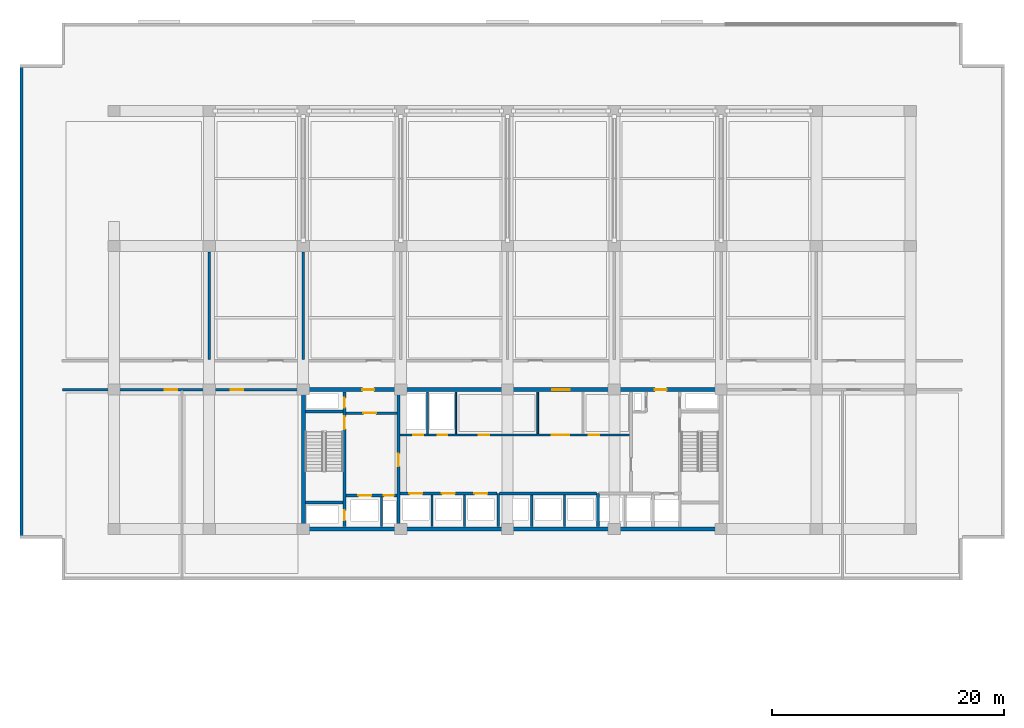
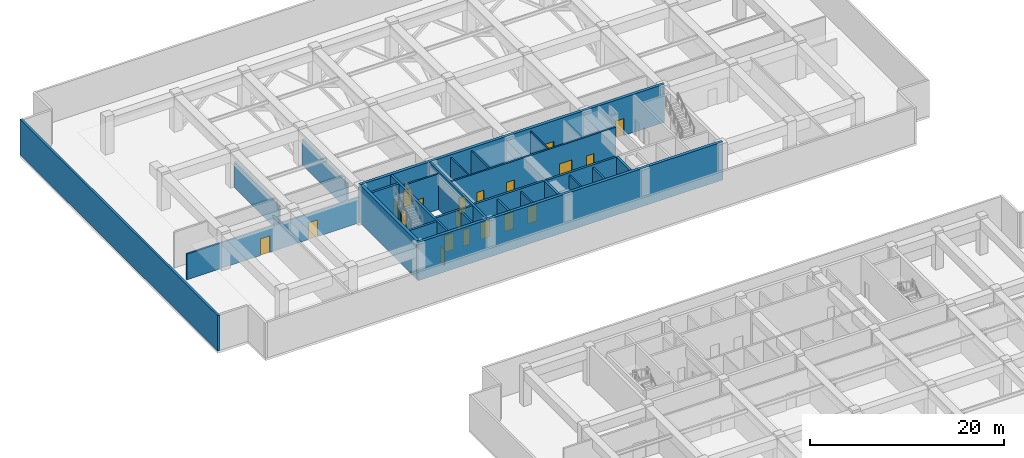
# One storey, part 11 of 21: 26 walls, 20 doors, 20 openings.
"""IFC4 building model written with IfcOpenShell, lengths in metres."""

from ifc_helpers import new_model, si_unit, direction, frame, frame_2d, origin, place, context, subcontext, project, spatial, rectangle, extrude, material, layer, layer_set, type_object, element, fill, save


model = new_model("IFC4")

# Units and contexts
model_context = context("Model", 3, precision=1e-05, world=origin(), true_north=direction((0.0, 1.0)))
body_context = subcontext(model_context, "Body", "Model", "MODEL_VIEW")
ifc_project = project(units=[si_unit("LENGTHUNIT", "METRE"), si_unit("AREAUNIT", "SQUARE_METRE"), si_unit("VOLUMEUNIT", "CUBIC_METRE"), si_unit("PLANEANGLEUNIT", "RADIAN"), si_unit("MASSUNIT", "GRAM", prefix="KILO")], contexts=[model_context])

# Site, building, storey
site_placement = place(None, origin())
site = spatial("IfcSite", under=ifc_project, at=site_placement, CompositionType="ELEMENT")
building_placement = place(site_placement, origin())
building = spatial("IfcBuilding", under=site, at=building_placement, Name="Korimba Cascade Residences", CompositionType="ELEMENT")
storey_placement = place(building_placement, frame((0.0, 0.0, 76.0)))
storey = spatial("IfcBuildingStorey", under=building, at=storey_placement, Name="L21", CompositionType="ELEMENT", Elevation=76.0)

# Walls
ifc_material_1 = material(Name="Precast concrete C40/50", Category="concrete")
ifc_layer_1 = layer(ifc_material_1, 0.25)
ifc_layer_set_1 = layer_set([ifc_layer_1], Name="Precast concrete C40/50")
wall_type_1 = type_object("IfcWallType", Name="EW-PLNT-250", PredefinedType="SHEAR", material=ifc_layer_set_1)
wall_1_placement = place(storey_placement, frame((51.824951171875, 95.199951171875, 0.0), z_axis=(0.0, 0.0, 1.0), x_axis=(0.0, -1.0, 0.0)))
element("IfcWall", 1, at=wall_1_placement, inside=storey, type_object=wall_type_1, Name="L21 T1 Perimeter Stone Wall E09", PredefinedType="SHEAR", context=body_context, shape_type="SweptSolid", body=[
    extrude(rectangle(XDim=40.800048828125, YDim=0.25, at=frame_2d((20.39990234375, 0.0))), origin(), (0.0, 0.0, 1.0), 4.47998046875),
])
ifc_material_2 = material(Name="Concrete C65/80", Category="concrete")
ifc_layer_2 = layer(ifc_material_2, 0.35009765625)
ifc_layer_set_2 = layer_set([ifc_layer_2], Name="Concrete C65/80")
wall_type_2 = type_object("IfcWallType", Name="WAL-CORE-350", PredefinedType="SHEAR", material=ifc_layer_set_2)
wall_2_placement = place(storey_placement, frame((75.949951171875, 55.199951171875, 0.0), z_axis=(0.0, 0.0, 1.0), x_axis=(1.0, 0.0, 0.0)))
element("IfcWall", 2, at=wall_2_placement, inside=storey, type_object=wall_type_2, Name="L21 Core Shear Wall CW-L21-T1-S", PredefinedType="SHEAR", context=body_context, shape_type="SweptSolid", body=[
    extrude(rectangle(XDim=36.300048828125, YDim=0.35009765625, at=frame_2d((18.14990234375, 0.0))), origin(), (0.0, 0.0, 1.0), 4.800048828125),
])
wall_3_placement = place(storey_placement, frame((76.125, 55.375, 0.0), z_axis=(0.0, 0.0, 1.0), x_axis=(0.0, 1.0, 0.0)))
element("IfcWall", 3, at=wall_3_placement, inside=storey, type_object=wall_type_2, Name="L21 Core Shear Wall CW-L21-T1-W", PredefinedType="SHEAR", context=body_context, shape_type="SweptSolid", body=[
    extrude(rectangle(XDim=11.64990234375, YDim=0.35009765625, at=frame_2d((5.824951171875, 0.0))), origin(), (0.0, 0.0, 1.0), 4.800048828125),
])

# Wall, openings, doors
wall_4_placement = place(storey_placement, frame((75.949951171875, 67.199951171875, 0.0), z_axis=(0.0, 0.0, 1.0), x_axis=(1.0, 0.0, 0.0)))
wall_4 = element("IfcWall", 4, at=wall_4_placement, inside=storey, type_object=wall_type_2, Name="L21 Core Shear Wall CW-L21-T1-N", PredefinedType="SHEAR", context=body_context, shape_type="SweptSolid", body=[
    extrude(rectangle(XDim=36.300048828125, YDim=0.35009765625, at=frame_2d((18.14990234375, 0.0))), origin(), (0.0, 0.0, 1.0), 4.800048828125),
])
opening_1_placement = place(wall_4_placement, frame((5.25, 0.0, 0.0)))
opening_1 = element("IfcOpeningElement", 5, at=opening_1_placement, cuts=wall_4, Name="Opening D-FD5", PredefinedType="OPENING", context=body_context, shape_type="SweptSolid", body=[
    extrude(rectangle(XDim=1.0, YDim=2.14990234375, at=frame_2d((0.5, 1.074951171875))), frame((0.0, 0.18505859375, 0.0), z_axis=(0.0, -1.0, 0.0), x_axis=(1.0, 0.0, 0.0)), (0.0, 0.0, 1.0), 0.3701171875),
])
opening_2_placement = place(wall_4_placement, frame((21.60009765625, 0.0, 0.0)))
opening_2 = element("IfcOpeningElement", 6, at=opening_2_placement, cuts=wall_4, Name="Opening D-FD8", PredefinedType="OPENING", context=body_context, shape_type="SweptSolid", body=[
    extrude(rectangle(XDim=1.5, YDim=2.199951171875, at=frame_2d((0.75, 1.10009765625))), frame((0.0, 0.18505859375, 0.0), z_axis=(0.0, -1.0, 0.0), x_axis=(1.0, 0.0, 0.0)), (0.0, 0.0, 1.0), 0.3701171875),
])
opening_3_placement = place(wall_4_placement, frame((30.449951171875, 0.0, 0.0)))
opening_3 = element("IfcOpeningElement", 7, at=opening_3_placement, cuts=wall_4, Name="Opening D-FD5", PredefinedType="OPENING", context=body_context, shape_type="SweptSolid", body=[
    extrude(rectangle(XDim=1.0, YDim=2.14990234375, at=frame_2d((0.5, 1.074951171875))), frame((0.0, 0.18505859375, 0.0), z_axis=(0.0, -1.0, 0.0), x_axis=(1.0, 0.0, 0.0)), (0.0, 0.0, 1.0), 0.3701171875),
])
ifc_material_3 = material(Name="Fire-Rated Acoustic Timber Vestibule Door", Category="wood")
door_type_1 = type_object("IfcDoorType", Name="DR-FD90-1000", OperationType="NOTDEFINED", PredefinedType="DOOR", material=ifc_material_3)
door_1_placement = place(opening_1_placement, origin())
door_1 = element("IfcDoor", 8, at=door_1_placement, inside=storey, type_object=door_type_1, Name="L21 T1 West Core Vestibule Fire Door", OperationType="SINGLE_SWING_RIGHT", OverallHeight=2.14990234375, OverallWidth=1.0, PredefinedType="DOOR", context=body_context, shape_type="SweptSolid", body=[
    extrude(rectangle(XDim=1.0, YDim=2.14990234375, at=frame_2d((0.5, 1.074951171875))), frame((0.0, 0.02490234375, 0.0), z_axis=(0.0, -1.0, 0.0), x_axis=(1.0, 0.0, 0.0)), (0.0, 0.0, 1.0), 0.050048828125),
])
fill(opening_1, door_1)
door_2_placement = place(opening_3_placement, origin())
door_2 = element("IfcDoor", 9, at=door_2_placement, inside=storey, type_object=door_type_1, Name="L21 T1 East Firefighting Vestibule Fire Door", OperationType="SINGLE_SWING_LEFT", OverallHeight=2.14990234375, OverallWidth=1.0, PredefinedType="DOOR", context=body_context, shape_type="SweptSolid", body=[
    extrude(rectangle(XDim=1.0, YDim=2.14990234375, at=frame_2d((0.5, 1.074951171875))), frame((0.0, 0.02490234375, 0.0), z_axis=(0.0, -1.0, 0.0), x_axis=(1.0, 0.0, 0.0)), (0.0, 0.0, 1.0), 0.050048828125),
])
fill(opening_3, door_2)
ifc_material_4 = material(Name="Fire-Rated Glazed Lift Lobby Double Door", Category="glass")
door_type_2 = type_object("IfcDoorType", Name="DR-FD90-1500", OperationType="NOTDEFINED", PredefinedType="DOOR", material=ifc_material_4)
door_3_placement = place(opening_2_placement, origin())
door_3 = element("IfcDoor", 10, at=door_3_placement, inside=storey, type_object=door_type_2, Name="L21 T1 Lift Lobby Fire Door", OperationType="DOUBLE_DOOR_SINGLE_SWING", OverallHeight=2.199951171875, OverallWidth=1.5, PredefinedType="DOOR", context=body_context, shape_type="SweptSolid", body=[
    extrude(rectangle(XDim=1.5, YDim=2.199951171875, at=frame_2d((0.75, 1.10009765625))), frame((0.0, 0.02490234375, 0.0), z_axis=(0.0, -1.0, 0.0), x_axis=(1.0, 0.0, 0.0)), (0.0, 0.0, 1.0), 0.050048828125),
])
fill(opening_2, door_3)

# Walls
ifc_material_5 = material(Name="Insulated Acoustic Stud Partition", Category="gypsum")
ifc_layer_3 = layer(ifc_material_5, 0.14990234375)
ifc_layer_set_3 = layer_set([ifc_layer_3], Name="Insulated Acoustic Stud Partition")
wall_type_3 = type_object("IfcWallType", Name="WAL-PART-150", PredefinedType="PARTITIONING", material=ifc_layer_set_3)
for number, where, z_axis, x_axis, name in (
    (11, (86.800048828125, 63.39990234375, 0.0), (0.0, 0.0, 1.0), (0.0, 1.0, 0.0), "L21 Partition Wall CW-L21-T1-ERDIV"),
    (12, (89.25, 63.39990234375, 0.0), (0.0, 0.0, 1.0), (0.0, 1.0, 0.0), "L21 Partition Wall CW-L21-T1-PRDIV"),
    (13, (96.300048828125, 63.39990234375, 0.0), (0.0, 0.0, 1.0), (0.0, 1.0, 0.0), "L21 Partition Wall CW-L21-T1-THW"),
):
    element("IfcWall", number, at=place(storey_placement, frame(where, z_axis=z_axis, x_axis=x_axis)), inside=storey, type_object=wall_type_3, Name=name, PredefinedType="PARTITIONING", context=body_context, shape_type="SweptSolid", body=[
        extrude(rectangle(XDim=3.60009765625, YDim=0.14990234375, at=frame_2d((1.800048828125, 0.0))), origin(), (0.0, 0.0, 1.0), 4.47998046875),
    ])
ifc_material_6 = material(Name="Concrete C40/50", Category="concrete")
ifc_layer_4 = layer(ifc_material_6, 0.199951171875)
ifc_layer_set_4 = layer_set([ifc_layer_4], Name="Concrete C40/50")
wall_type_4 = type_object("IfcWallType", Name="WAL-PART-200", PredefinedType="PARTITIONING", material=ifc_layer_set_4)
wall_5_placement = place(storey_placement, frame((82.85009765625, 55.39990234375, 0.0), z_axis=(0.0, 0.0, 1.0), x_axis=(0.0, 1.0, 0.0)))
element("IfcWall", 14, at=wall_5_placement, inside=storey, type_object=wall_type_4, Name="L21 Partition Wall CW-L21-T1-FFLDIV", PredefinedType="PARTITIONING", context=body_context, shape_type="SweptSolid", body=[
    extrude(rectangle(XDim=2.56005859375, YDim=0.199951171875, at=frame_2d((1.280029296875, 0.0))), origin(), (0.0, 0.0, 1.0), 4.47998046875),
])

# Wall, opening, door
wall_6_placement = place(storey_placement, frame((79.7900390625, 65.179931640625, 0.0), z_axis=(0.0, 0.0, 1.0), x_axis=(1.0, 0.0, 0.0)))
wall_6 = element("IfcWall", 15, at=wall_6_placement, inside=storey, type_object=wall_type_4, Name="L21 Partition Wall CW-L21-T1-FFLN", PredefinedType="PARTITIONING", context=body_context, shape_type="SweptSolid", body=[
    extrude(rectangle(XDim=4.389892578125, YDim=0.199951171875, at=frame_2d((2.19482421875, 0.0))), origin(), (0.0, 0.0, 1.0), 4.47998046875),
])
opening_4_placement = place(wall_6_placement, frame((1.5, 0.0, 0.0)))
opening_4 = element("IfcOpeningElement", 16, at=opening_4_placement, cuts=wall_6, Name="Opening D-FD1", PredefinedType="OPENING", context=body_context, shape_type="SweptSolid", body=[
    extrude(rectangle(XDim=1.10009765625, YDim=2.10009765625, at=frame_2d((0.550048828125, 1.050048828125))), frame((0.0, 0.10986328125, 0.0), z_axis=(0.0, -1.0, 0.0), x_axis=(1.0, 0.0, 0.0)), (0.0, 0.0, 1.0), 0.219970703125),
])
ifc_material_7 = material(Name="Fire-Rated Steel Core Door", Category="steel")
door_type_3 = type_object("IfcDoorType", Name="DR-FD120-1100", OperationType="NOTDEFINED", PredefinedType="DOOR", material=ifc_material_7)
door_4_placement = place(opening_4_placement, origin())
door_4 = element("IfcDoor", 17, at=door_4_placement, inside=storey, type_object=door_type_3, Name="L21 West Firefighting Lobby Door", OperationType="SINGLE_SWING_RIGHT", OverallHeight=2.10009765625, OverallWidth=1.10009765625, PredefinedType="DOOR", context=body_context, shape_type="SweptSolid", body=[
    extrude(rectangle(XDim=1.10009765625, YDim=2.10009765625, at=frame_2d((0.550048828125, 1.050048828125))), frame((0.0, 0.02490234375, 0.0), z_axis=(0.0, -1.0, 0.0), x_axis=(1.0, 0.0, 0.0)), (0.0, 0.0, 1.0), 0.050048828125),
])
fill(opening_4, door_4)

# Walls
for number, where, z_axis, x_axis, name in (
    (18, (87.199951171875, 55.39990234375, 0.0), (0.0, 0.0, 1.0), (0.0, 1.0, 0.0), "L21 Partition Wall CW-L21-T1-B1D1"),
    (19, (90.0, 55.39990234375, 0.0), (0.0, 0.0, 1.0), (0.0, 1.0, 0.0), "L21 Partition Wall CW-L21-T1-B1D2"),
    (20, (95.800048828125, 55.39990234375, 0.0), (0.0, 0.0, 1.0), (0.0, 1.0, 0.0), "L21 Partition Wall CW-L21-T1-B2D1"),
    (21, (98.60009765625, 55.39990234375, 0.0), (0.0, 0.0, 1.0), (0.0, 1.0, 0.0), "L21 Partition Wall CW-L21-T1-B2D2"),
):
    element("IfcWall", number, at=place(storey_placement, frame(where, z_axis=z_axis, x_axis=x_axis)), inside=storey, type_object=wall_type_4, Name=name, PredefinedType="PARTITIONING", context=body_context, shape_type="SweptSolid", body=[
        extrude(rectangle(XDim=2.72021484375, YDim=0.199951171875, at=frame_2d((1.360107421875, 0.0))), origin(), (0.0, 0.0, 1.0), 4.47998046875),
    ])

# Wall, openings, doors
wall_7_placement = place(storey_placement, frame((84.419921875, 63.300048828125, 0.0), z_axis=(0.0, 0.0, 1.0), x_axis=(1.0, 0.0, 0.0)))
wall_7 = element("IfcWall", 22, at=wall_7_placement, inside=storey, type_object=wall_type_4, Name="L21 Partition Wall CW-L21-T1-SRVROW", PredefinedType="PARTITIONING", context=body_context, shape_type="SweptSolid", body=[
    extrude(rectangle(XDim=19.830078125, YDim=0.199951171875, at=frame_2d((9.9150390625, 0.0))), origin(), (0.0, 0.0, 1.0), 4.47998046875),
])
opening_5_placement = place(wall_7_placement, frame((1.14990234375, 0.0, 0.0)))
opening_5 = element("IfcOpeningElement", 23, at=opening_5_placement, cuts=wall_7, Name="Opening D-RS1", PredefinedType="OPENING", context=body_context, shape_type="SweptSolid", body=[
    extrude(rectangle(XDim=0.85009765625, YDim=2.050048828125, at=frame_2d((0.425048828125, 1.02490234375))), frame((0.0, 0.10986328125, 0.0), z_axis=(0.0, -1.0, 0.0), x_axis=(1.0, 0.0, 0.0)), (0.0, 0.0, 1.0), 0.219970703125),
])
opening_6_placement = place(wall_7_placement, frame((3.25, 0.0, 0.0)))
opening_6 = element("IfcOpeningElement", 24, at=opening_6_placement, cuts=wall_7, Name="Opening D-RS1", PredefinedType="OPENING", context=body_context, shape_type="SweptSolid", body=[
    extrude(rectangle(XDim=0.85009765625, YDim=2.050048828125, at=frame_2d((0.425048828125, 1.02490234375))), frame((0.0, 0.10986328125, 0.0), z_axis=(0.0, -1.0, 0.0), x_axis=(1.0, 0.0, 0.0)), (0.0, 0.0, 1.0), 0.219970703125),
])
opening_7_placement = place(wall_7_placement, frame((13.080078125, 0.0, 0.0)))
opening_7 = element("IfcOpeningElement", 25, at=opening_7_placement, cuts=wall_7, Name="Opening D-FD8", PredefinedType="OPENING", context=body_context, shape_type="SweptSolid", body=[
    extrude(rectangle(XDim=1.5, YDim=2.199951171875, at=frame_2d((0.75, 1.10009765625))), frame((0.0, 0.10986328125, 0.0), z_axis=(0.0, -1.0, 0.0), x_axis=(1.0, 0.0, 0.0)), (0.0, 0.0, 1.0), 0.219970703125),
])
opening_8_placement = place(wall_7_placement, frame((6.780029296875, 0.0, 0.0)))
opening_8 = element("IfcOpeningElement", 26, at=opening_8_placement, cuts=wall_7, Name="Opening D-IN1", PredefinedType="OPENING", context=body_context, shape_type="SweptSolid", body=[
    extrude(rectangle(XDim=0.919921875, YDim=2.080078125, at=frame_2d((0.4599609375, 1.0400390625))), frame((0.0, 0.10986328125, 0.0), z_axis=(0.0, -1.0, 0.0), x_axis=(1.0, 0.0, 0.0)), (0.0, 0.0, 1.0), 0.219970703125),
])
opening_9_placement = place(wall_7_placement, frame((16.280029296875, 0.0, 0.0)))
opening_9 = element("IfcOpeningElement", 27, at=opening_9_placement, cuts=wall_7, Name="Opening D-IN1", PredefinedType="OPENING", context=body_context, shape_type="SweptSolid", body=[
    extrude(rectangle(XDim=0.919921875, YDim=2.080078125, at=frame_2d((0.4599609375, 1.0400390625))), frame((0.0, 0.10986328125, 0.0), z_axis=(0.0, -1.0, 0.0), x_axis=(1.0, 0.0, 0.0)), (0.0, 0.0, 1.0), 0.219970703125),
])
ifc_material_8 = material(Name="Fire-Rated Steel Riser Access Door", Category="steel")
door_type_4 = type_object("IfcDoorType", Name="DR-FD60-850", OperationType="NOTDEFINED", PredefinedType="DOOR", material=ifc_material_8)
door_5_placement = place(opening_5_placement, origin())
door_5 = element("IfcDoor", 28, at=door_5_placement, inside=storey, type_object=door_type_4, Name="L21 Electrical Riser Door", OperationType="SINGLE_SWING_RIGHT", OverallHeight=2.050048828125, OverallWidth=0.85009765625, PredefinedType="DOOR", context=body_context, shape_type="SweptSolid", body=[
    extrude(rectangle(XDim=0.85009765625, YDim=2.050048828125, at=frame_2d((0.425048828125, 1.02490234375))), frame((0.0, 0.02490234375, 0.0), z_axis=(0.0, -1.0, 0.0), x_axis=(1.0, 0.0, 0.0)), (0.0, 0.0, 1.0), 0.050048828125),
])
fill(opening_5, door_5)
door_6_placement = place(opening_6_placement, origin())
door_6 = element("IfcDoor", 29, at=door_6_placement, inside=storey, type_object=door_type_4, Name="L21 Plumbing Riser Door", OperationType="SINGLE_SWING_LEFT", OverallHeight=2.050048828125, OverallWidth=0.85009765625, PredefinedType="DOOR", context=body_context, shape_type="SweptSolid", body=[
    extrude(rectangle(XDim=0.85009765625, YDim=2.050048828125, at=frame_2d((0.425048828125, 1.02490234375))), frame((0.0, 0.02490234375, 0.0), z_axis=(0.0, -1.0, 0.0), x_axis=(1.0, 0.0, 0.0)), (0.0, 0.0, 1.0), 0.050048828125),
])
fill(opening_6, door_6)
door_7_placement = place(opening_7_placement, origin())
door_7 = element("IfcDoor", 30, at=door_7_placement, inside=storey, type_object=door_type_2, Name="L21 Lift Lobby Foyer Archway Door", OperationType="DOUBLE_DOOR_SINGLE_SWING", OverallHeight=2.199951171875, OverallWidth=1.5, PredefinedType="DOOR", context=body_context, shape_type="SweptSolid", body=[
    extrude(rectangle(XDim=1.5, YDim=2.199951171875, at=frame_2d((0.75, 1.10009765625))), frame((0.0, 0.02490234375, 0.0), z_axis=(0.0, -1.0, 0.0), x_axis=(1.0, 0.0, 0.0)), (0.0, 0.0, 1.0), 0.050048828125),
])
fill(opening_7, door_7)
ifc_material_9 = material(Name="Acoustic Timber Living Door", Category="wood")
door_type_5 = type_object("IfcDoorType", Name="DR-INT-920", OperationType="NOTDEFINED", PredefinedType="DOOR", material=ifc_material_9)
door_8_placement = place(opening_8_placement, origin())
door_8 = element("IfcDoor", 31, at=door_8_placement, inside=storey, type_object=door_type_5, Name="L21 Housekeeping Door", OperationType="SINGLE_SWING_RIGHT", OverallHeight=2.080078125, OverallWidth=0.919921875, PredefinedType="DOOR", context=body_context, shape_type="SweptSolid", body=[
    extrude(rectangle(XDim=0.919921875, YDim=2.080078125, at=frame_2d((0.4599609375, 1.0400390625))), frame((0.0, 0.02490234375, 0.0), z_axis=(0.0, -1.0, 0.0), x_axis=(1.0, 0.0, 0.0)), (0.0, 0.0, 1.0), 0.050048828125),
])
fill(opening_8, door_8)
door_9_placement = place(opening_9_placement, origin())
door_9 = element("IfcDoor", 32, at=door_9_placement, inside=storey, type_object=door_type_5, Name="L21 Store Door", OperationType="SINGLE_SWING_LEFT", OverallHeight=2.080078125, OverallWidth=0.919921875, PredefinedType="DOOR", context=body_context, shape_type="SweptSolid", body=[
    extrude(rectangle(XDim=0.919921875, YDim=2.080078125, at=frame_2d((0.4599609375, 1.0400390625))), frame((0.0, 0.02490234375, 0.0), z_axis=(0.0, -1.0, 0.0), x_axis=(1.0, 0.0, 0.0)), (0.0, 0.0, 1.0), 0.050048828125),
])
fill(opening_9, door_9)

# Walls
for number, where, z_axis, x_axis, name in (
    (33, (68.0, 69.800048828125, 0.0), (0.0, 0.0, 1.0), (0.0, 1.0, 0.0), "L21 Partition Wall WAL-L21-T1-PD1"),
    (34, (76.10009765625, 69.800048828125, 0.0), (0.0, 0.0, 1.0), (0.0, 1.0, 0.0), "L21 Partition Wall WAL-L21-T1-PD2"),
):
    element("IfcWall", number, at=place(storey_placement, frame(where, z_axis=z_axis, x_axis=x_axis)), inside=storey, type_object=wall_type_4, Name=name, PredefinedType="PARTITIONING", context=body_context, shape_type="SweptSolid", body=[
        extrude(rectangle(XDim=9.25, YDim=0.199951171875, at=frame_2d((4.625, 0.0))), origin(), (0.0, 0.0, 1.0), 3.22998046875),
    ])

# Wall, openings, doors
wall_8_placement = place(storey_placement, frame((55.35009765625, 67.199951171875, 0.0), z_axis=(0.0, 0.0, 1.0), x_axis=(1.0, 0.0, 0.0)))
wall_8 = element("IfcWall", 35, at=wall_8_placement, inside=storey, type_object=wall_type_4, Name="L21 Partition Wall WAL-L21-T1-RWWN", PredefinedType="PARTITIONING", context=body_context, shape_type="SweptSolid", body=[
    extrude(rectangle(XDim=20.599853515625, YDim=0.199951171875, at=frame_2d((10.2998046875, 0.0))), origin(), (0.0, 0.0, 1.0), 3.22998046875),
])
opening_10_placement = place(wall_8_placement, frame((8.800048828125, 0.0, 0.0)))
opening_10 = element("IfcOpeningElement", 36, at=opening_10_placement, cuts=wall_8, Name="Opening D-FD1", PredefinedType="OPENING", context=body_context, shape_type="SweptSolid", body=[
    extrude(rectangle(XDim=1.10009765625, YDim=2.10009765625, at=frame_2d((0.550048828125, 1.050048828125))), frame((0.0, 0.10986328125, 0.0), z_axis=(0.0, -1.0, 0.0), x_axis=(1.0, 0.0, 0.0)), (0.0, 0.0, 1.0), 0.219970703125),
])
opening_11_placement = place(wall_8_placement, frame((14.4951171875, 0.0, 0.0)))
opening_11 = element("IfcOpeningElement", 37, at=opening_11_placement, cuts=wall_8, Name="Opening D-FD1", PredefinedType="OPENING", context=body_context, shape_type="SweptSolid", body=[
    extrude(rectangle(XDim=1.10009765625, YDim=2.10009765625, at=frame_2d((0.550048828125, 1.050048828125))), frame((0.0, 0.10986328125, 0.0), z_axis=(0.0, -1.0, 0.0), x_axis=(1.0, 0.0, 0.0)), (0.0, 0.0, 1.0), 0.219970703125),
])
door_10_placement = place(opening_10_placement, origin())
door_10 = element("IfcDoor", 38, at=door_10_placement, inside=storey, type_object=door_type_3, Name="L21 W Tank Plant Door", OperationType="SINGLE_SWING_RIGHT", OverallHeight=2.10009765625, OverallWidth=1.10009765625, PredefinedType="DOOR", context=body_context, shape_type="SweptSolid", body=[
    extrude(rectangle(XDim=1.10009765625, YDim=2.10009765625, at=frame_2d((0.550048828125, 1.050048828125))), frame((0.0, 0.02490234375, 0.0), z_axis=(0.0, -1.0, 0.0), x_axis=(1.0, 0.0, 0.0)), (0.0, 0.0, 1.0), 0.050048828125),
])
fill(opening_10, door_10)
door_11_placement = place(opening_11_placement, origin())
door_11 = element("IfcDoor", 39, at=door_11_placement, inside=storey, type_object=door_type_3, Name="L21 W Switchroom Door", OperationType="SINGLE_SWING_LEFT", OverallHeight=2.10009765625, OverallWidth=1.10009765625, PredefinedType="DOOR", context=body_context, shape_type="SweptSolid", body=[
    extrude(rectangle(XDim=1.10009765625, YDim=2.10009765625, at=frame_2d((0.550048828125, 1.050048828125))), frame((0.0, 0.02490234375, 0.0), z_axis=(0.0, -1.0, 0.0), x_axis=(1.0, 0.0, 0.0)), (0.0, 0.0, 1.0), 0.050048828125),
])
fill(opening_11, door_11)

ifc_material_10 = material(Name="Concrete C50/60", Category="concrete")
ifc_layer_5 = layer(ifc_material_10, 0.25)
ifc_layer_set_5 = layer_set([ifc_layer_5], Name="Concrete C50/60")
wall_type_5 = type_object("IfcWallType", Name="WAL-SHAFT-250", PredefinedType="SHEAR", material=ifc_layer_set_5)
wall_9_placement = place(storey_placement, frame((79.6650390625, 55.39990234375, 0.0), z_axis=(0.0, 0.0, 1.0), x_axis=(0.0, 1.0, 0.0)))
wall_9 = element("IfcWall", 40, at=wall_9_placement, inside=storey, type_object=wall_type_5, Name="L21 Core Shear Wall CW-L21-T1-STW1E", PredefinedType="SHEAR", context=body_context, shape_type="SweptSolid", body=[
    extrude(rectangle(XDim=11.60009765625, YDim=0.25, at=frame_2d((5.800048828125, 0.0))), origin(), (0.0, 0.0, 1.0), 4.800048828125),
])
opening_12_placement = place(wall_9_placement, frame((0.550048828125, 0.0, 0.0)))
opening_12 = element("IfcOpeningElement", 41, at=opening_12_placement, cuts=wall_9, Name="Opening D-RS1", PredefinedType="OPENING", context=body_context, shape_type="SweptSolid", body=[
    extrude(rectangle(XDim=0.85009765625, YDim=2.050048828125, at=frame_2d((0.425048828125, 1.02490234375))), frame((0.0, 0.135009765625, 0.0), z_axis=(0.0, -1.0, 0.0), x_axis=(1.0, 0.0, 0.0)), (0.0, 0.0, 1.0), 0.27001953125),
])
opening_13_placement = place(wall_9_placement, frame((8.39990234375, 0.0, 0.0)))
opening_13 = element("IfcOpeningElement", 42, at=opening_13_placement, cuts=wall_9, Name="Opening D-FD1", PredefinedType="OPENING", context=body_context, shape_type="SweptSolid", body=[
    extrude(rectangle(XDim=1.10009765625, YDim=2.10009765625, at=frame_2d((0.550048828125, 1.050048828125))), frame((0.0, 0.135009765625, 0.0), z_axis=(0.0, -1.0, 0.0), x_axis=(1.0, 0.0, 0.0)), (0.0, 0.0, 1.0), 0.27001953125),
])
opening_14_placement = place(wall_9_placement, frame((10.25, 0.0, 0.0)))
opening_14 = element("IfcOpeningElement", 43, at=opening_14_placement, cuts=wall_9, Name="Opening D-RS1", PredefinedType="OPENING", context=body_context, shape_type="SweptSolid", body=[
    extrude(rectangle(XDim=0.85009765625, YDim=2.050048828125, at=frame_2d((0.425048828125, 1.02490234375))), frame((0.0, 0.135009765625, 0.0), z_axis=(0.0, -1.0, 0.0), x_axis=(1.0, 0.0, 0.0)), (0.0, 0.0, 1.0), 0.27001953125),
])
door_12_placement = place(opening_13_placement, origin())
door_12 = element("IfcDoor", 44, at=door_12_placement, inside=storey, type_object=door_type_3, Name="L21 Fire Stair ST-W1 Door", OperationType="SINGLE_SWING_LEFT", OverallHeight=2.10009765625, OverallWidth=1.10009765625, PredefinedType="DOOR", context=body_context, shape_type="SweptSolid", body=[
    extrude(rectangle(XDim=1.10009765625, YDim=2.10009765625, at=frame_2d((0.550048828125, 1.050048828125))), frame((0.0, 0.02490234375, 0.0), z_axis=(0.0, -1.0, 0.0), x_axis=(1.0, 0.0, 0.0)), (0.0, 0.0, 1.0), 0.050048828125),
])
fill(opening_13, door_12)
door_13_placement = place(opening_12_placement, origin())
door_13 = element("IfcDoor", 45, at=door_13_placement, inside=storey, type_object=door_type_4, Name="L21 Smoke Riser Access Door", OperationType="SINGLE_SWING_RIGHT", OverallHeight=2.050048828125, OverallWidth=0.85009765625, PredefinedType="DOOR", context=body_context, shape_type="SweptSolid", body=[
    extrude(rectangle(XDim=0.85009765625, YDim=2.050048828125, at=frame_2d((0.425048828125, 1.02490234375))), frame((0.0, 0.02490234375, 0.0), z_axis=(0.0, -1.0, 0.0), x_axis=(1.0, 0.0, 0.0)), (0.0, 0.0, 1.0), 0.050048828125),
])
fill(opening_12, door_13)
door_14_placement = place(opening_14_placement, origin())
door_14 = element("IfcDoor", 46, at=door_14_placement, inside=storey, type_object=door_type_4, Name="L21 Hydrant Riser Access Door", OperationType="SINGLE_SWING_RIGHT", OverallHeight=2.050048828125, OverallWidth=0.85009765625, PredefinedType="DOOR", context=body_context, shape_type="SweptSolid", body=[
    extrude(rectangle(XDim=0.85009765625, YDim=2.050048828125, at=frame_2d((0.425048828125, 1.02490234375))), frame((0.0, 0.02490234375, 0.0), z_axis=(0.0, -1.0, 0.0), x_axis=(1.0, 0.0, 0.0)), (0.0, 0.0, 1.0), 0.050048828125),
])
fill(opening_14, door_14)

# Walls
for number, where, z_axis, x_axis, name in (
    (47, (76.300048828125, 57.47509765625, 0.0), (0.0, 0.0, 1.0), (1.0, 0.0, 0.0), "L21 Core Shear Wall CW-L21-T1-STW1S"),
    (48, (76.300048828125, 65.324951171875, 0.0), (0.0, 0.0, 1.0), (1.0, 0.0, 0.0), "L21 Core Shear Wall CW-L21-T1-STW1N"),
):
    element("IfcWall", number, at=place(storey_placement, frame(where, z_axis=z_axis, x_axis=x_axis)), inside=storey, type_object=wall_type_5, Name=name, PredefinedType="SHEAR", context=body_context, shape_type="SweptSolid", body=[
        extrude(rectangle(XDim=3.239990234375, YDim=0.25, at=frame_2d((1.6201171875, 0.0))), origin(), (0.0, 0.0, 1.0), 4.800048828125),
    ])

# Wall, openings, doors
wall_10_placement = place(storey_placement, frame((79.7900390625, 58.10009765625, 0.0), z_axis=(0.0, 0.0, 1.0), x_axis=(1.0, 0.0, 0.0)))
wall_10 = element("IfcWall", 49, at=wall_10_placement, inside=storey, type_object=wall_type_5, Name="L21 Core Shear Wall CW-L21-T1-FFLS", PredefinedType="SHEAR", context=body_context, shape_type="SweptSolid", body=[
    extrude(rectangle(XDim=4.389892578125, YDim=0.25, at=frame_2d((2.19482421875, 0.0))), origin(), (0.0, 0.0, 1.0), 4.800048828125),
])
opening_15_placement = place(wall_10_placement, frame((1.050048828125, 0.0, 0.0)))
opening_15 = element("IfcOpeningElement", 50, at=opening_15_placement, cuts=wall_10, Name="Opening LD-01", PredefinedType="OPENING", context=body_context, shape_type="SweptSolid", body=[
    extrude(rectangle(XDim=1.1201171875, YDim=2.1201171875, at=frame_2d((0.56005859375, 1.06005859375))), frame((0.0, 0.135009765625, 0.0), z_axis=(0.0, -1.0, 0.0), x_axis=(1.0, 0.0, 0.0)), (0.0, 0.0, 1.0), 0.27001953125),
])
opening_16_placement = place(wall_10_placement, frame((3.260009765625, 0.0, 0.0)))
opening_16 = element("IfcOpeningElement", 51, at=opening_16_placement, cuts=wall_10, Name="Opening D-RS1", PredefinedType="OPENING", context=body_context, shape_type="SweptSolid", body=[
    extrude(rectangle(XDim=0.85009765625, YDim=2.050048828125, at=frame_2d((0.425048828125, 1.02490234375))), frame((0.0, 0.135009765625, 0.0), z_axis=(0.0, -1.0, 0.0), x_axis=(1.0, 0.0, 0.0)), (0.0, 0.0, 1.0), 0.27001953125),
])
door_15_placement = place(opening_16_placement, origin())
door_15 = element("IfcDoor", 52, at=door_15_placement, inside=storey, type_object=door_type_4, Name="L21 Pressurisation Riser Door", OperationType="SINGLE_SWING_LEFT", OverallHeight=2.050048828125, OverallWidth=0.85009765625, PredefinedType="DOOR", context=body_context, shape_type="SweptSolid", body=[
    extrude(rectangle(XDim=0.85009765625, YDim=2.050048828125, at=frame_2d((0.425048828125, 1.02490234375))), frame((0.0, 0.02490234375, 0.0), z_axis=(0.0, -1.0, 0.0), x_axis=(1.0, 0.0, 0.0)), (0.0, 0.0, 1.0), 0.050048828125),
])
fill(opening_16, door_15)
ifc_material_11 = material(Name="Stainless Steel Lift Landing Sliding Door", Category="steel")
door_type_6 = type_object("IfcDoorType", Name="DR-LIFT-1100", OperationType="NOTDEFINED", PredefinedType="DOOR", material=ifc_material_11)
door_16_placement = place(opening_15_placement, origin())
door_16 = element("IfcDoor", 53, at=door_16_placement, inside=storey, type_object=door_type_6, Name="L21 Firefighting Lift Landing Door FFL-W1", OperationType="SLIDING_TO_LEFT", OverallHeight=2.1201171875, OverallWidth=1.1201171875, PredefinedType="DOOR", context=body_context, shape_type="SweptSolid", body=[
    extrude(rectangle(XDim=1.1201171875, YDim=2.1201171875, at=frame_2d((0.56005859375, 1.06005859375))), frame((0.0, 0.02490234375, 0.0), z_axis=(0.0, -1.0, 0.0), x_axis=(1.0, 0.0, 0.0)), (0.0, 0.0, 1.0), 0.050048828125),
])
fill(opening_15, door_16)

# Wall, opening, door
wall_11_placement = place(storey_placement, frame((84.300048828125, 55.39990234375, 0.0), z_axis=(0.0, 0.0, 1.0), x_axis=(0.0, 1.0, 0.0)))
wall_11 = element("IfcWall", 54, at=wall_11_placement, inside=storey, type_object=wall_type_5, Name="L21 Core Shear Wall CW-L21-T1-FFLE", PredefinedType="SHEAR", context=body_context, shape_type="SweptSolid", body=[
    extrude(rectangle(XDim=11.60009765625, YDim=0.25, at=frame_2d((5.800048828125, 0.0))), origin(), (0.0, 0.0, 1.0), 4.800048828125),
])
opening_17_placement = place(wall_11_placement, frame((5.199951171875, 0.0, 0.0)))
opening_17 = element("IfcOpeningElement", 55, at=opening_17_placement, cuts=wall_11, Name="Opening D-FD1", PredefinedType="OPENING", context=body_context, shape_type="SweptSolid", body=[
    extrude(rectangle(XDim=1.10009765625, YDim=2.10009765625, at=frame_2d((0.550048828125, 1.050048828125))), frame((0.0, 0.135009765625, 0.0), z_axis=(0.0, -1.0, 0.0), x_axis=(1.0, 0.0, 0.0)), (0.0, 0.0, 1.0), 0.27001953125),
])
door_17_placement = place(opening_17_placement, origin())
door_17 = element("IfcDoor", 56, at=door_17_placement, inside=storey, type_object=door_type_3, Name="L21 Firefighting Lobby to Lift Lobby Door", OperationType="SINGLE_SWING_LEFT", OverallHeight=2.10009765625, OverallWidth=1.10009765625, PredefinedType="DOOR", context=body_context, shape_type="SweptSolid", body=[
    extrude(rectangle(XDim=1.10009765625, YDim=2.10009765625, at=frame_2d((0.550048828125, 1.050048828125))), frame((0.0, 0.02490234375, 0.0), z_axis=(0.0, -1.0, 0.0), x_axis=(1.0, 0.0, 0.0)), (0.0, 0.0, 1.0), 0.050048828125),
])
fill(opening_17, door_17)

# Wall, openings, doors
wall_12_placement = place(storey_placement, frame((84.419921875, 58.25, 0.0), z_axis=(0.0, 0.0, 1.0), x_axis=(1.0, 0.0, 0.0)))
wall_12 = element("IfcWall", 57, at=wall_12_placement, inside=storey, type_object=wall_type_5, Name="L21 Core Shear Wall CW-L21-T1-B1N", PredefinedType="SHEAR", context=body_context, shape_type="SweptSolid", body=[
    extrude(rectangle(XDim=8.360107421875, YDim=0.25, at=frame_2d((4.18017578125, 0.0))), origin(), (0.0, 0.0, 1.0), 4.800048828125),
])
opening_18_placement = place(wall_12_placement, frame((0.820068359375, 0.0, 0.0)))
opening_18 = element("IfcOpeningElement", 58, at=opening_18_placement, cuts=wall_12, Name="Opening LD-01", PredefinedType="OPENING", context=body_context, shape_type="SweptSolid", body=[
    extrude(rectangle(XDim=1.1201171875, YDim=2.1201171875, at=frame_2d((0.56005859375, 1.06005859375))), frame((0.0, 0.135009765625, 0.0), z_axis=(0.0, -1.0, 0.0), x_axis=(1.0, 0.0, 0.0)), (0.0, 0.0, 1.0), 0.27001953125),
])
opening_19_placement = place(wall_12_placement, frame((3.6201171875, 0.0, 0.0)))
opening_19 = element("IfcOpeningElement", 59, at=opening_19_placement, cuts=wall_12, Name="Opening LD-01", PredefinedType="OPENING", context=body_context, shape_type="SweptSolid", body=[
    extrude(rectangle(XDim=1.1201171875, YDim=2.1201171875, at=frame_2d((0.56005859375, 1.06005859375))), frame((0.0, 0.135009765625, 0.0), z_axis=(0.0, -1.0, 0.0), x_axis=(1.0, 0.0, 0.0)), (0.0, 0.0, 1.0), 0.27001953125),
])
opening_20_placement = place(wall_12_placement, frame((6.419921875, 0.0, 0.0)))
opening_20 = element("IfcOpeningElement", 60, at=opening_20_placement, cuts=wall_12, Name="Opening LD-01", PredefinedType="OPENING", context=body_context, shape_type="SweptSolid", body=[
    extrude(rectangle(XDim=1.1201171875, YDim=2.1201171875, at=frame_2d((0.56005859375, 1.06005859375))), frame((0.0, 0.135009765625, 0.0), z_axis=(0.0, -1.0, 0.0), x_axis=(1.0, 0.0, 0.0)), (0.0, 0.0, 1.0), 0.27001953125),
])
door_18_placement = place(opening_18_placement, origin())
door_18 = element("IfcDoor", 61, at=door_18_placement, inside=storey, type_object=door_type_6, Name="L21 Lift Landing Door PL-W1", OperationType="SLIDING_TO_LEFT", OverallHeight=2.1201171875, OverallWidth=1.1201171875, PredefinedType="DOOR", context=body_context, shape_type="SweptSolid", body=[
    extrude(rectangle(XDim=1.1201171875, YDim=2.1201171875, at=frame_2d((0.56005859375, 1.06005859375))), frame((0.0, 0.02490234375, 0.0), z_axis=(0.0, -1.0, 0.0), x_axis=(1.0, 0.0, 0.0)), (0.0, 0.0, 1.0), 0.050048828125),
])
fill(opening_18, door_18)
door_19_placement = place(opening_19_placement, origin())
door_19 = element("IfcDoor", 62, at=door_19_placement, inside=storey, type_object=door_type_6, Name="L21 Lift Landing Door PL-W2", OperationType="SLIDING_TO_LEFT", OverallHeight=2.1201171875, OverallWidth=1.1201171875, PredefinedType="DOOR", context=body_context, shape_type="SweptSolid", body=[
    extrude(rectangle(XDim=1.1201171875, YDim=2.1201171875, at=frame_2d((0.56005859375, 1.06005859375))), frame((0.0, 0.02490234375, 0.0), z_axis=(0.0, -1.0, 0.0), x_axis=(1.0, 0.0, 0.0)), (0.0, 0.0, 1.0), 0.050048828125),
])
fill(opening_19, door_19)
door_20_placement = place(opening_20_placement, origin())
door_20 = element("IfcDoor", 63, at=door_20_placement, inside=storey, type_object=door_type_6, Name="L21 Lift Landing Door PL-W3", OperationType="SLIDING_TO_LEFT", OverallHeight=2.1201171875, OverallWidth=1.1201171875, PredefinedType="DOOR", context=body_context, shape_type="SweptSolid", body=[
    extrude(rectangle(XDim=1.1201171875, YDim=2.1201171875, at=frame_2d((0.56005859375, 1.06005859375))), frame((0.0, 0.02490234375, 0.0), z_axis=(0.0, -1.0, 0.0), x_axis=(1.0, 0.0, 0.0)), (0.0, 0.0, 1.0), 0.050048828125),
])
fill(opening_20, door_20)

# Walls
wall_13_placement = place(storey_placement, frame((92.89990234375, 55.39990234375, 0.0), z_axis=(0.0, 0.0, 1.0), x_axis=(0.0, 1.0, 0.0)))
element("IfcWall", 64, at=wall_13_placement, inside=storey, type_object=wall_type_5, Name="L21 Core Shear Wall CW-L21-T1-B12DIV", PredefinedType="SHEAR", context=body_context, shape_type="SweptSolid", body=[
    extrude(rectangle(XDim=2.85009765625, YDim=0.25, at=frame_2d((1.425048828125, 0.0))), origin(), (0.0, 0.0, 1.0), 4.800048828125),
])
wall_14_placement = place(storey_placement, frame((93.02001953125, 58.25, 0.0), z_axis=(0.0, 0.0, 1.0), x_axis=(1.0, 0.0, 0.0)))
element("IfcWall", 65, at=wall_14_placement, inside=storey, type_object=wall_type_5, Name="L21 Core Shear Wall CW-L21-T1-B2N", PredefinedType="SHEAR", context=body_context, shape_type="SweptSolid", body=[
    extrude(rectangle(XDim=8.35986328125, YDim=0.25, at=frame_2d((4.179931640625, 0.0))), origin(), (0.0, 0.0, 1.0), 4.800048828125),
])
wall_15_placement = place(storey_placement, frame((101.47998046875, 55.39990234375, 0.0), z_axis=(0.0, 0.0, 1.0), x_axis=(0.0, 1.0, 0.0)))
element("IfcWall", 66, at=wall_15_placement, inside=storey, type_object=wall_type_5, Name="L21 Core Shear Wall CW-L21-T1-B23DIV", PredefinedType="SHEAR", context=body_context, shape_type="SweptSolid", body=[
    extrude(rectangle(XDim=2.85009765625, YDim=0.25, at=frame_2d((1.425048828125, 0.0))), origin(), (0.0, 0.0, 1.0), 4.800048828125),
])

save(model, "model.ifc")
